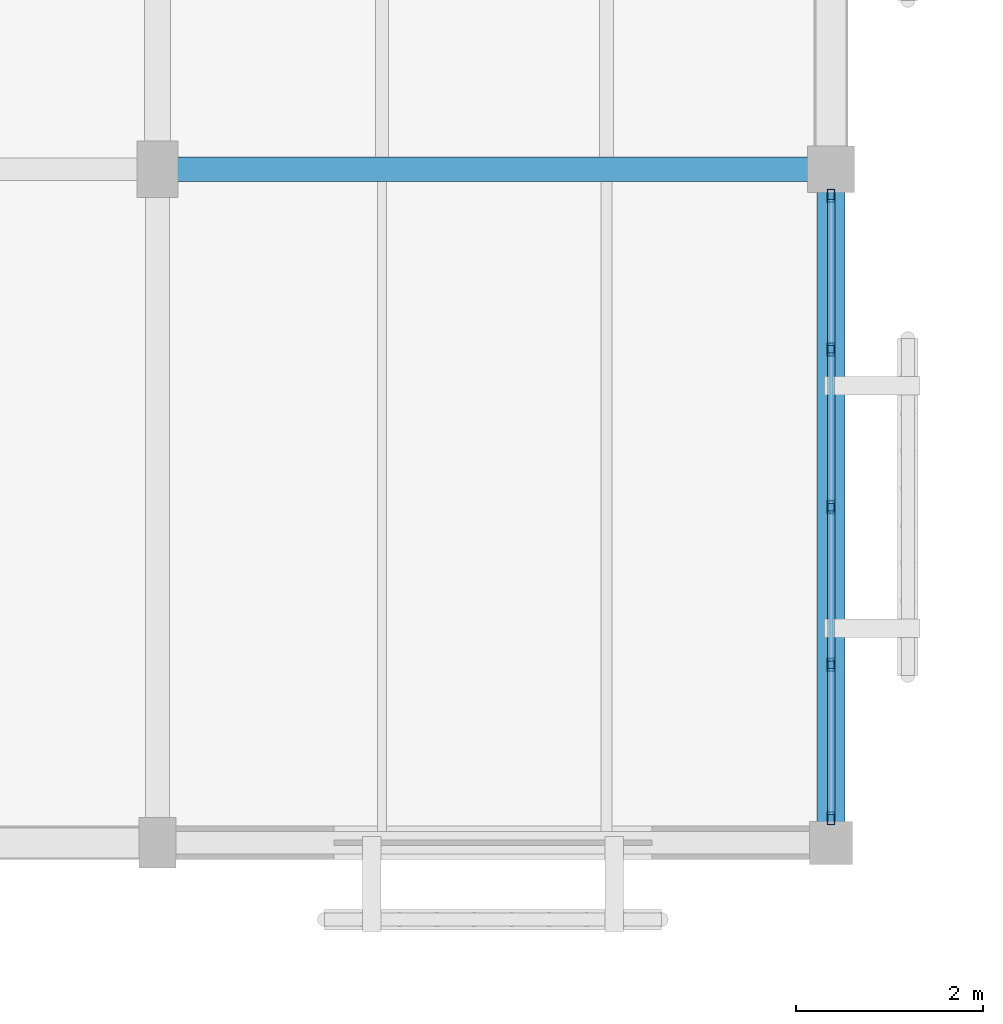
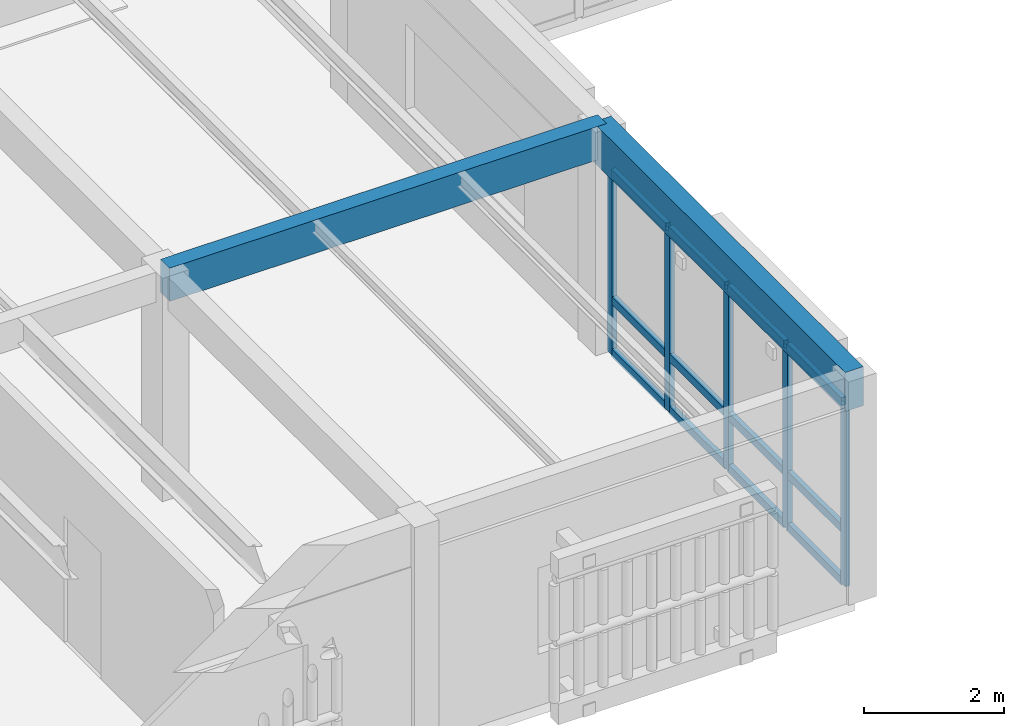
# One storey, part 17 of 217: 17 members, 2 beams, 1 element without a shape of its own.
"""IFC4 building model written with IfcOpenShell, lengths in metres."""

import ifcopenshell
import ifcopenshell.guid

model = None  # the IFC model being written
_history = None  # IfcOwnerHistory: only IFC2X3 demands one
_inside = {}  # id of a spatial element -> (the spatial element, [elements in it])
_under = {}  # id of a project, library or spatial element -> (it, [spatial elements below it])
_declared = {}  # id of a project -> (the project, [libraries it declares])
_typed = {}  # id of a type object -> (the type object, [elements of that type])
_made_of = {}  # id of a material, layer set ... -> (it, [elements and type objects made of it])


def new_model(schema):
    """Start an empty IFC model of exactly this schema.

    Asked for "IFC4X3", IfcOpenShell would pick the latest addendum, in which some entities
    have other attributes; the version numbers below select the first issue.
    IFC2X3 requires an IfcOwnerHistory on every rooted entity: one is made here for all.
    """
    global model, _history
    if schema == "IFC4X3":
        model = ifcopenshell.file(schema_version=(4, 3, 0, 0))
    else:
        model = ifcopenshell.file(schema=schema)
    _inside.clear()
    _under.clear()
    _declared.clear()
    _typed.clear()
    _made_of.clear()
    _history = None
    if model.schema == "IFC2X3":
        org = make("IfcOrganization", Name="unknown")
        user = make(
            "IfcPersonAndOrganization",
            ThePerson=make("IfcPerson", FamilyName="unknown"),
            TheOrganization=org,
        )
        app = make(
            "IfcApplication",
            ApplicationDeveloper=org,
            Version="unknown",
            ApplicationFullName="unknown",
            ApplicationIdentifier="unknown",
        )
        _history = make(
            "IfcOwnerHistory",
            OwningUser=user,
            OwningApplication=app,
            ChangeAction="ADDED",
            CreationDate=0,
        )
    return model


def make(cls, **values):
    """One entity of the class cls with the attributes given. An attribute that is None is left unset."""
    return model.create_entity(
        cls, **{name: value for name, value in values.items() if value is not None}
    )


def rooted(cls, **values):
    """An entity with a GlobalId (a new one), such as an element, a storey or a relation."""
    return make(cls, GlobalId=ifcopenshell.guid.new(), OwnerHistory=_history, **values)


def si_unit(unit_type, name, prefix=None):
    """IfcSIUnit, for example si_unit("LENGTHUNIT", "METRE", prefix="MILLI")."""
    return make("IfcSIUnit", UnitType=unit_type, Prefix=prefix, Name=name)


def assignment(units):
    """IfcUnitAssignment: the units of a project."""
    return None if units is None else make("IfcUnitAssignment", Units=units)


def point(xyz):
    """IfcCartesianPoint."""
    return None if xyz is None else make("IfcCartesianPoint", Coordinates=xyz)


def direction(xyz):
    """IfcDirection."""
    return None if xyz is None else make("IfcDirection", DirectionRatios=xyz)


def frame(location, z_axis=None, x_axis=None):
    """IfcAxis2Placement3D, a coordinate frame: its origin and axes. An axis left out is left unset."""
    return make(
        "IfcAxis2Placement3D",
        Location=point(location),
        Axis=direction(z_axis),
        RefDirection=direction(x_axis),
    )


def frame_2d(location, x_axis=None):
    """IfcAxis2Placement2D, a coordinate frame in the plane: its origin and x axis."""
    return make(
        "IfcAxis2Placement2D", Location=point(location), RefDirection=direction(x_axis)
    )


def origin():
    """The frame at (0, 0, 0) with its axes left unset."""
    return frame((0.0, 0.0, 0.0))


def origin_2d():
    """The frame at (0, 0) in the plane with its x axis left unset."""
    return frame_2d((0.0, 0.0))


def place(relative_to, where):
    """IfcLocalPlacement: puts the frame where relative to a parent placement (None: the world)."""
    return make(
        "IfcLocalPlacement", PlacementRelTo=relative_to, RelativePlacement=where
    )


def context(
    kind, dimensions, precision=None, world=None, true_north=None, identifier=None
):
    """IfcGeometricRepresentationContext, for example the 3D "Model" context."""
    return make(
        "IfcGeometricRepresentationContext",
        ContextIdentifier=identifier,
        ContextType=kind,
        CoordinateSpaceDimension=dimensions,
        Precision=precision,
        WorldCoordinateSystem=world,
        TrueNorth=true_north,
    )


def subcontext(parent, identifier, kind, view, scale=None):
    """IfcGeometricRepresentationSubContext, for example "Body" below "Model"."""
    return make(
        "IfcGeometricRepresentationSubContext",
        ContextIdentifier=identifier,
        ContextType=kind,
        ParentContext=parent,
        TargetScale=scale,
        TargetView=view,
    )


def project(units=None, contexts=None):
    """IfcProject with its units and contexts."""
    return rooted(
        "IfcProject",
        Name="project",
        RepresentationContexts=contexts,
        UnitsInContext=assignment(units),
    )


def spatial(cls, under=None, at=None, **own):
    """A site, building, storey or space (cls), placed at a placement, below another one or the project."""
    s = rooted(cls, ObjectPlacement=at, **own)
    if under is not None:
        _under.setdefault(under.id(), (under, []))[1].append(s)
    return s


def profile(cls, at=None, kind="AREA", **sizes):
    """A parametric profile (cls). Its sizes go by their IFC names, for example OverallWidth=200.0."""
    return make(cls, ProfileType=kind, Position=at, **sizes)


def rectangle(**sizes):
    """IfcRectangleProfileDef."""
    return profile("IfcRectangleProfileDef", **sizes)


def hollow_rectangle(**sizes):
    """IfcRectangleHollowProfileDef."""
    return profile("IfcRectangleHollowProfileDef", **sizes)


def extrude(swept, where, along, depth):
    """IfcExtrudedAreaSolid: the profile swept, set in the frame where, extruded along a direction by depth."""
    return make(
        "IfcExtrudedAreaSolid",
        SweptArea=swept,
        Position=where,
        ExtrudedDirection=direction(along),
        Depth=depth,
    )


def shape(context_of_items, identifier, shape_type, items):
    """IfcShapeRepresentation: the items that make up one representation, for example the "Body"."""
    return make(
        "IfcShapeRepresentation",
        ContextOfItems=context_of_items,
        RepresentationIdentifier=identifier,
        RepresentationType=shape_type,
        Items=items,
    )


def material(Name=None, Category=None):
    """IfcMaterial."""
    return make("IfcMaterial", Name=Name, Category=Category)


def layer(
    of_material, thickness, ventilated=None, Name=None, Category=None, Priority=None
):
    """IfcMaterialLayer: one layer of a wall or slab, of a material (None: an air gap)."""
    return make(
        "IfcMaterialLayer",
        Material=of_material,
        LayerThickness=thickness,
        IsVentilated=ventilated,
        Name=Name,
        Category=Category,
        Priority=Priority,
    )


def layer_set(layers, Name=None):
    """IfcMaterialLayerSet."""
    return make("IfcMaterialLayerSet", MaterialLayers=layers, LayerSetName=Name)


def material_profile(
    of_material, cross_section, Name=None, Category=None, Priority=None
):
    """IfcMaterialProfile: a cross section and its material."""
    return make(
        "IfcMaterialProfile",
        Name=Name,
        Material=of_material,
        Profile=cross_section,
        Priority=Priority,
        Category=Category,
    )


def profile_set(profiles, Name=None, composite=None):
    """IfcMaterialProfileSet."""
    return make(
        "IfcMaterialProfileSet",
        Name=Name,
        MaterialProfiles=profiles,
        CompositeProfile=composite,
    )


def made_of(thing, what):
    """Note that an element or type object is made of a material, layer set ...; save() writes the relation."""
    if what is not None:
        _made_of.setdefault(what.id(), (what, []))[1].append(thing)
    return thing


def type_object(cls, material=None, **own):
    """A type object (cls), such as IfcWallType, which elements share."""
    return made_of(rooted(cls, **own), material)


def element(
    cls,
    number,
    at=None,
    inside=None,
    cuts=None,
    type_object=None,
    material=None,
    context=None,
    identifier="Body",
    shape_type=None,
    held_by="IfcProductDefinitionShape",
    body=None,
    shapes=None,
    **own,
):
    """One element of the class cls, such as IfcWall. Its Tag is "e" and its number.

    at: its placement. inside: the storey or other place that contains it. cuts: it is an
    opening in that element (IfcRelVoidsElement). A single representation is given by context,
    identifier, shape_type and body (its items); several are given by shapes. held_by: the class
    of the entity that holds the representations. save() writes the other relations.
    """
    e = rooted(cls, Tag="e%d" % number, ObjectPlacement=at, **own)
    if body is not None:
        shapes = [shape(context, identifier, shape_type, body)]
    if shapes is not None:
        e.Representation = make(held_by, Representations=shapes)
    if inside is not None:
        _inside.setdefault(inside.id(), (inside, []))[1].append(e)
    if cuts is not None:
        rooted(
            "IfcRelVoidsElement", RelatingBuildingElement=cuts, RelatedOpeningElement=e
        )
    if type_object is not None:
        _typed.setdefault(type_object.id(), (type_object, []))[1].append(e)
    return made_of(e, material)


def aggregate(whole, parts):
    """IfcRelAggregates: a whole, such as a stair, and the parts it consists of."""
    return rooted("IfcRelAggregates", RelatingObject=whole, RelatedObjects=parts)


def save(model, path):
    """Write the relations noted so far, then the file.

    IfcRelAggregates (storeys below a building ...), IfcRelContainedInSpatialStructure (elements
    in a storey), IfcRelDefinesByType, IfcRelAssociatesMaterial and IfcRelDeclares: one each for
    every whole, place, type object, material and project.
    """
    for whole, parts in _under.values():
        aggregate(whole, parts)
    for where, things in _inside.values():
        rooted(
            "IfcRelContainedInSpatialStructure",
            RelatedElements=things,
            RelatingStructure=where,
        )
    for kind, things in _typed.values():
        rooted("IfcRelDefinesByType", RelatedObjects=things, RelatingType=kind)
    for what, things in _made_of.values():
        rooted("IfcRelAssociatesMaterial", RelatedObjects=things, RelatingMaterial=what)
    for by, libraries in _declared.values():
        rooted("IfcRelDeclares", RelatingContext=by, RelatedDefinitions=libraries)
    model.write(path)


model = new_model("IFC4")

# Units and contexts
model_context = context("Model", 3, precision=1e-05, world=origin(), true_north=direction((0.0, 1.0)))
body_context = subcontext(model_context, "Body", "Model", "MODEL_VIEW")
ifc_project = project(units=[si_unit("LENGTHUNIT", "METRE"), si_unit("AREAUNIT", "SQUARE_METRE"), si_unit("VOLUMEUNIT", "CUBIC_METRE"), si_unit("PLANEANGLEUNIT", "RADIAN"), si_unit("MASSUNIT", "GRAM", prefix="KILO")], contexts=[model_context])

# Site, building, storey
site_placement = place(None, origin())
site = spatial("IfcSite", under=ifc_project, at=site_placement, CompositionType="ELEMENT")
building_placement = place(site_placement, origin())
building = spatial("IfcBuilding", under=site, at=building_placement, Name="Mazaris Harbour Polytechnic", CompositionType="ELEMENT")
storey_placement = place(building_placement, frame((0.0, 0.0, 9.60009765625)))
storey = spatial("IfcBuildingStorey", under=building, at=storey_placement, Name="L02", CompositionType="ELEMENT", Elevation=9.60009765625)

# Curtain wall, members
ifc_material_1 = material(Name="Anodised Bronze Aluminium and Low-E Glass", Category="aluminium")
ifc_layer = layer(ifc_material_1, 0.159912109375, Name="Anodised Bronze Aluminium and Low-E Glass")
ifc_layer_set = layer_set([ifc_layer], Name="Anodised Bronze Aluminium and Low-E Glass")
curtain_wall_type = type_object("IfcCurtainWallType", Name="Cloister Court Curtain Wall", PredefinedType="NOTDEFINED", material=ifc_layer_set)
curtain_wall_placement = place(storey_placement, origin())
curtain_wall = element("IfcCurtainWall", 1, at=curtain_wall_placement, inside=storey, type_object=curtain_wall_type, Name="V4 L02 Curtain Wall 128", PredefinedType="NOTDEFINED")
ifc_material_2 = material(Name="Anodised Bronze Steel S355", Category="steel")
ifc_material_profile_1 = material_profile(ifc_material_2, hollow_rectangle(XDim=0.080078125, YDim=0.139892578125, WallThickness=0.00634765625, at=origin_2d()), Name="RHS 80x140x6.3")
ifc_profile_set_1 = profile_set([ifc_material_profile_1], Name="Anodised Bronze Steel S355")
member_type_1 = type_object("IfcMemberType", Name="Curtain Mullion RHS80x140", PredefinedType="MULLION", material=ifc_profile_set_1)
member_1_placement = place(storey_placement, frame((43.199951171875, 14.117919921875, 0.0), z_axis=(0.0, 0.0, 1.0), x_axis=(1.0, 0.0, 0.0)))
member_1 = element("IfcMember", 2, at=member_1_placement, type_object=member_type_1, Name="CW-02 mullion 1", PredefinedType="MULLION", context=body_context, shape_type="SweptSolid", body=[
    extrude(hollow_rectangle(XDim=0.080078125, YDim=0.139892578125, WallThickness=0.00634765625, at=origin_2d()), origin(), (0.0, 0.0, 1.0), 3.199951171875),
])
member_2_placement = place(storey_placement, frame((43.199951171875, 12.47412109375, 0.0), z_axis=(0.0, 0.0, 1.0), x_axis=(1.0, 0.0, 0.0)))
member_2 = element("IfcMember", 3, at=member_2_placement, type_object=member_type_1, Name="CW-02 mullion 2", PredefinedType="MULLION", context=body_context, shape_type="SweptSolid", body=[
    extrude(hollow_rectangle(XDim=0.080078125, YDim=0.139892578125, WallThickness=0.00634765625, at=origin_2d()), origin(), (0.0, 0.0, 1.0), 3.199951171875),
])
member_3_placement = place(storey_placement, frame((43.199951171875, 10.7900390625, 0.0), z_axis=(0.0, 0.0, 1.0), x_axis=(1.0, 0.0, 0.0)))
member_3 = element("IfcMember", 4, at=member_3_placement, type_object=member_type_1, Name="CW-02 mullion 3", PredefinedType="MULLION", context=body_context, shape_type="SweptSolid", body=[
    extrude(hollow_rectangle(XDim=0.080078125, YDim=0.139892578125, WallThickness=0.00634765625, at=origin_2d()), origin(), (0.0, 0.0, 1.0), 3.199951171875),
])
member_4_placement = place(storey_placement, frame((43.199951171875, 9.10595703125, 0.0), z_axis=(0.0, 0.0, 1.0), x_axis=(1.0, 0.0, 0.0)))
member_4 = element("IfcMember", 5, at=member_4_placement, type_object=member_type_1, Name="CW-02 mullion 4", PredefinedType="MULLION", context=body_context, shape_type="SweptSolid", body=[
    extrude(hollow_rectangle(XDim=0.080078125, YDim=0.139892578125, WallThickness=0.00634765625, at=origin_2d()), origin(), (0.0, 0.0, 1.0), 3.199951171875),
])
member_5_placement = place(storey_placement, frame((43.199951171875, 7.4619140625, 0.0), z_axis=(0.0, 0.0, 1.0), x_axis=(1.0, 0.0, 0.0)))
member_5 = element("IfcMember", 6, at=member_5_placement, type_object=member_type_1, Name="CW-02 mullion 5", PredefinedType="MULLION", context=body_context, shape_type="SweptSolid", body=[
    extrude(hollow_rectangle(XDim=0.080078125, YDim=0.139892578125, WallThickness=0.00634765625, at=origin_2d()), origin(), (0.0, 0.0, 1.0), 3.199951171875),
])
ifc_material_3 = material(Name="Anodised Bronze Steel S355", Category="steel")
ifc_material_profile_2 = material_profile(ifc_material_3, hollow_rectangle(XDim=0.080078125, YDim=0.139892578125, WallThickness=0.00634765625, at=origin_2d()), Name="RHS 80x140x6.3")
ifc_profile_set_2 = profile_set([ifc_material_profile_2], Name="Anodised Bronze Steel S355")
member_type_2 = type_object("IfcMemberType", Name="Curtain Transom RHS80x140", PredefinedType="USERDEFINED", material=ifc_profile_set_2)
member_6_placement = place(storey_placement, frame((43.199951171875, 14.077880859375, 0.039794921875), z_axis=(0.0, -1.0, 0.0), x_axis=(1.0, 0.0, 0.0)))
member_6 = element("IfcMember", 7, at=member_6_placement, type_object=member_type_2, Name="CW-02 transom 1.1", ObjectType="TRANSOM", PredefinedType="USERDEFINED", context=body_context, shape_type="SweptSolid", body=[
    extrude(hollow_rectangle(XDim=0.080078125, YDim=0.139892578125, WallThickness=0.00634765625, at=origin_2d()), origin(), (0.0, 0.0, 1.0), 1.56396484375),
])
member_7_placement = place(storey_placement, frame((43.199951171875, 14.077880859375, 0.949951171875), z_axis=(0.0, -1.0, 0.0), x_axis=(1.0, 0.0, 0.0)))
member_7 = element("IfcMember", 8, at=member_7_placement, type_object=member_type_2, Name="CW-02 transom 1.2", ObjectType="TRANSOM", PredefinedType="USERDEFINED", context=body_context, shape_type="SweptSolid", body=[
    extrude(hollow_rectangle(XDim=0.080078125, YDim=0.139892578125, WallThickness=0.00634765625, at=origin_2d()), origin(), (0.0, 0.0, 1.0), 1.56396484375),
])
member_8_placement = place(storey_placement, frame((43.199951171875, 14.077880859375, 3.159912109375), z_axis=(0.0, -1.0, 0.0), x_axis=(1.0, 0.0, 0.0)))
member_8 = element("IfcMember", 9, at=member_8_placement, type_object=member_type_2, Name="CW-02 transom 1.3", ObjectType="TRANSOM", PredefinedType="USERDEFINED", context=body_context, shape_type="SweptSolid", body=[
    extrude(hollow_rectangle(XDim=0.080078125, YDim=0.139892578125, WallThickness=0.00634765625, at=origin_2d()), origin(), (0.0, 0.0, 1.0), 1.56396484375),
])
member_9_placement = place(storey_placement, frame((43.199951171875, 12.43408203125, 0.039794921875), z_axis=(0.0, -1.0, 0.0), x_axis=(1.0, 0.0, 0.0)))
member_9 = element("IfcMember", 10, at=member_9_placement, type_object=member_type_2, Name="CW-02 transom 2.1", ObjectType="TRANSOM", PredefinedType="USERDEFINED", context=body_context, shape_type="SweptSolid", body=[
    extrude(hollow_rectangle(XDim=0.080078125, YDim=0.139892578125, WallThickness=0.00634765625, at=origin_2d()), origin(), (0.0, 0.0, 1.0), 1.60400390625),
])
member_10_placement = place(storey_placement, frame((43.199951171875, 12.43408203125, 0.949951171875), z_axis=(0.0, -1.0, 0.0), x_axis=(1.0, 0.0, 0.0)))
member_10 = element("IfcMember", 11, at=member_10_placement, type_object=member_type_2, Name="CW-02 transom 2.2", ObjectType="TRANSOM", PredefinedType="USERDEFINED", context=body_context, shape_type="SweptSolid", body=[
    extrude(hollow_rectangle(XDim=0.080078125, YDim=0.139892578125, WallThickness=0.00634765625, at=origin_2d()), origin(), (0.0, 0.0, 1.0), 1.60400390625),
])
member_11_placement = place(storey_placement, frame((43.199951171875, 12.43408203125, 3.159912109375), z_axis=(0.0, -1.0, 0.0), x_axis=(1.0, 0.0, 0.0)))
member_11 = element("IfcMember", 12, at=member_11_placement, type_object=member_type_2, Name="CW-02 transom 2.3", ObjectType="TRANSOM", PredefinedType="USERDEFINED", context=body_context, shape_type="SweptSolid", body=[
    extrude(hollow_rectangle(XDim=0.080078125, YDim=0.139892578125, WallThickness=0.00634765625, at=origin_2d()), origin(), (0.0, 0.0, 1.0), 1.60400390625),
])
member_12_placement = place(storey_placement, frame((43.199951171875, 10.75, 0.039794921875), z_axis=(0.0, -1.0, 0.0), x_axis=(1.0, 0.0, 0.0)))
member_12 = element("IfcMember", 13, at=member_12_placement, type_object=member_type_2, Name="CW-02 transom 3.1", ObjectType="TRANSOM", PredefinedType="USERDEFINED", context=body_context, shape_type="SweptSolid", body=[
    extrude(hollow_rectangle(XDim=0.080078125, YDim=0.139892578125, WallThickness=0.00634765625, at=origin_2d()), origin(), (0.0, 0.0, 1.0), 1.60400390625),
])
member_13_placement = place(storey_placement, frame((43.199951171875, 10.75, 0.949951171875), z_axis=(0.0, -1.0, 0.0), x_axis=(1.0, 0.0, 0.0)))
member_13 = element("IfcMember", 14, at=member_13_placement, type_object=member_type_2, Name="CW-02 transom 3.2", ObjectType="TRANSOM", PredefinedType="USERDEFINED", context=body_context, shape_type="SweptSolid", body=[
    extrude(hollow_rectangle(XDim=0.080078125, YDim=0.139892578125, WallThickness=0.00634765625, at=origin_2d()), origin(), (0.0, 0.0, 1.0), 1.60400390625),
])
member_14_placement = place(storey_placement, frame((43.199951171875, 10.75, 3.159912109375), z_axis=(0.0, -1.0, 0.0), x_axis=(1.0, 0.0, 0.0)))
member_14 = element("IfcMember", 15, at=member_14_placement, type_object=member_type_2, Name="CW-02 transom 3.3", ObjectType="TRANSOM", PredefinedType="USERDEFINED", context=body_context, shape_type="SweptSolid", body=[
    extrude(hollow_rectangle(XDim=0.080078125, YDim=0.139892578125, WallThickness=0.00634765625, at=origin_2d()), origin(), (0.0, 0.0, 1.0), 1.60400390625),
])
member_15_placement = place(storey_placement, frame((43.199951171875, 9.06591796875, 0.039794921875), z_axis=(0.0, -1.0, 0.0), x_axis=(1.0, 0.0, 0.0)))
member_15 = element("IfcMember", 16, at=member_15_placement, type_object=member_type_2, Name="CW-02 transom 4.1", ObjectType="TRANSOM", PredefinedType="USERDEFINED", context=body_context, shape_type="SweptSolid", body=[
    extrude(hollow_rectangle(XDim=0.080078125, YDim=0.139892578125, WallThickness=0.00634765625, at=origin_2d()), origin(), (0.0, 0.0, 1.0), 1.56396484375),
])
member_16_placement = place(storey_placement, frame((43.199951171875, 9.06591796875, 0.949951171875), z_axis=(0.0, -1.0, 0.0), x_axis=(1.0, 0.0, 0.0)))
member_16 = element("IfcMember", 17, at=member_16_placement, type_object=member_type_2, Name="CW-02 transom 4.2", ObjectType="TRANSOM", PredefinedType="USERDEFINED", context=body_context, shape_type="SweptSolid", body=[
    extrude(hollow_rectangle(XDim=0.080078125, YDim=0.139892578125, WallThickness=0.00634765625, at=origin_2d()), origin(), (0.0, 0.0, 1.0), 1.56396484375),
])
member_17_placement = place(storey_placement, frame((43.199951171875, 9.06591796875, 3.159912109375), z_axis=(0.0, -1.0, 0.0), x_axis=(1.0, 0.0, 0.0)))
member_17 = element("IfcMember", 18, at=member_17_placement, type_object=member_type_2, Name="CW-02 transom 4.3", ObjectType="TRANSOM", PredefinedType="USERDEFINED", context=body_context, shape_type="SweptSolid", body=[
    extrude(hollow_rectangle(XDim=0.080078125, YDim=0.139892578125, WallThickness=0.00634765625, at=origin_2d()), origin(), (0.0, 0.0, 1.0), 1.56396484375),
])
aggregate(curtain_wall, [member_1, member_2, member_3, member_4, member_5, member_6, member_7, member_8, member_9, member_10, member_11, member_12, member_13, member_14, member_15, member_16, member_17])

# Beams
ifc_material_4 = material(Name="Glulam GL32h", Category="wood")
ifc_material_profile_3 = material_profile(ifc_material_4, rectangle(XDim=0.260009765625, YDim=0.580078125, at=origin_2d()), Name="RECT260x580")
ifc_profile_set_3 = profile_set([ifc_material_profile_3], Name="Glulam GL32h")
beam_type_1 = type_object("IfcBeamType", Name="Glulam Girder 260x580", PredefinedType="BEAM", material=ifc_profile_set_3)
beam_1_placement = place(storey_placement, frame((36.0, 14.39990234375, 3.599853515625), z_axis=(1.0, 0.0, 0.0), x_axis=(0.0, 1.0, 0.0)))
element("IfcBeam", 19, at=beam_1_placement, inside=storey, type_object=beam_type_1, Name="V4 L02 Girder 1906", PredefinedType="BEAM", context=body_context, shape_type="SweptSolid", body=[
    extrude(rectangle(XDim=0.260009765625, YDim=0.580078125, at=origin_2d()), origin(), (0.0, 0.0, 1.0), 7.199951171875),
])
ifc_material_5 = material(Name="Glulam GL32h", Category="wood")
ifc_material_profile_4 = material_profile(ifc_material_5, rectangle(XDim=0.300048828125, YDim=0.679931640625, at=origin_2d()), Name="RECT300x680")
ifc_profile_set_4 = profile_set([ifc_material_profile_4], Name="Glulam GL32h")
beam_type_2 = type_object("IfcBeamType", Name="Glulam Girder 300x680 Exterior", PredefinedType="BEAM", material=ifc_profile_set_4)
beam_2_placement = place(storey_placement, frame((43.199951171875, 7.199951171875, 3.5498046875), z_axis=(0.0, 1.0, 0.0), x_axis=(-1.0, 0.0, 0.0)))
element("IfcBeam", 20, at=beam_2_placement, inside=storey, type_object=beam_type_2, Name="V4 L02 Tie Girder 2033", PredefinedType="BEAM", context=body_context, shape_type="SweptSolid", body=[
    extrude(rectangle(XDim=0.300048828125, YDim=0.679931640625, at=origin_2d()), origin(), (0.0, 0.0, 1.0), 7.199951171875),
])

save(model, "model.ifc")
